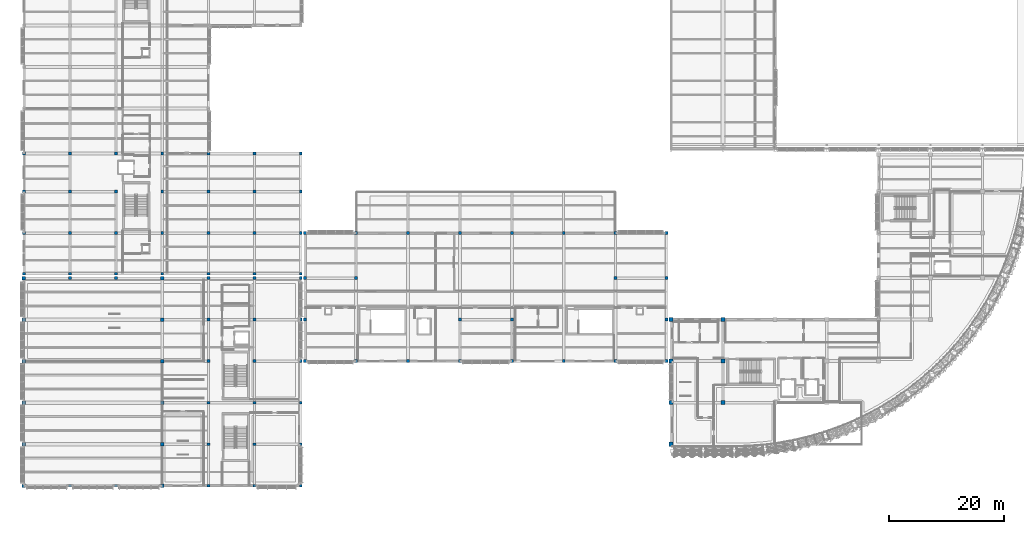
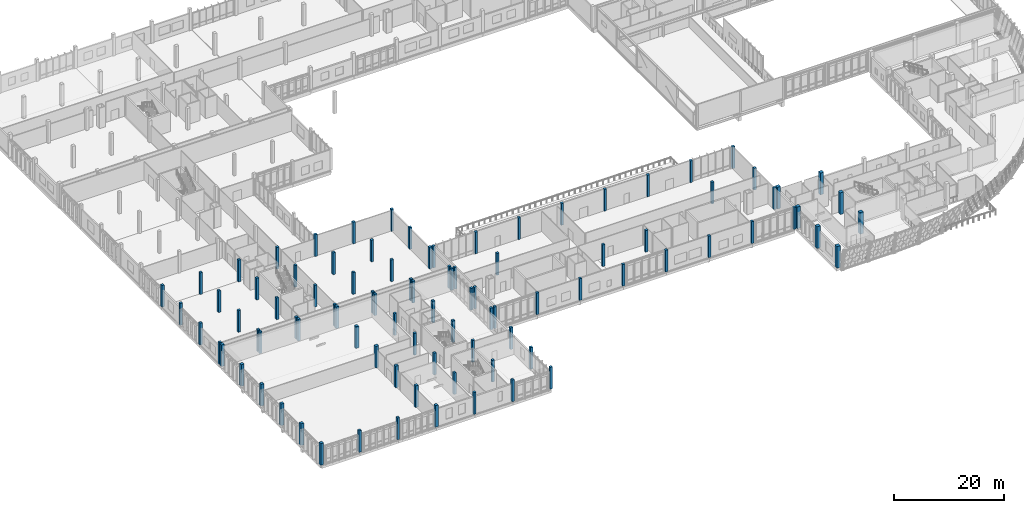
# One storey, part 1 of 177: 93 columns.
"""IFC4 building model written with IfcOpenShell, lengths in metres."""

import ifcopenshell
import ifcopenshell.guid

model = None  # the IFC model being written
_history = None  # IfcOwnerHistory: only IFC2X3 demands one
_inside = {}  # id of a spatial element -> (the spatial element, [elements in it])
_under = {}  # id of a project, library or spatial element -> (it, [spatial elements below it])
_declared = {}  # id of a project -> (the project, [libraries it declares])
_typed = {}  # id of a type object -> (the type object, [elements of that type])
_made_of = {}  # id of a material, layer set ... -> (it, [elements and type objects made of it])


def new_model(schema):
    """Start an empty IFC model of exactly this schema.

    Asked for "IFC4X3", IfcOpenShell would pick the latest addendum, in which some entities
    have other attributes; the version numbers below select the first issue.
    IFC2X3 requires an IfcOwnerHistory on every rooted entity: one is made here for all.
    """
    global model, _history
    if schema == "IFC4X3":
        model = ifcopenshell.file(schema_version=(4, 3, 0, 0))
    else:
        model = ifcopenshell.file(schema=schema)
    _inside.clear()
    _under.clear()
    _declared.clear()
    _typed.clear()
    _made_of.clear()
    _history = None
    if model.schema == "IFC2X3":
        org = make("IfcOrganization", Name="unknown")
        user = make(
            "IfcPersonAndOrganization",
            ThePerson=make("IfcPerson", FamilyName="unknown"),
            TheOrganization=org,
        )
        app = make(
            "IfcApplication",
            ApplicationDeveloper=org,
            Version="unknown",
            ApplicationFullName="unknown",
            ApplicationIdentifier="unknown",
        )
        _history = make(
            "IfcOwnerHistory",
            OwningUser=user,
            OwningApplication=app,
            ChangeAction="ADDED",
            CreationDate=0,
        )
    return model


def make(cls, **values):
    """One entity of the class cls with the attributes given. An attribute that is None is left unset."""
    return model.create_entity(
        cls, **{name: value for name, value in values.items() if value is not None}
    )


def rooted(cls, **values):
    """An entity with a GlobalId (a new one), such as an element, a storey or a relation."""
    return make(cls, GlobalId=ifcopenshell.guid.new(), OwnerHistory=_history, **values)


def si_unit(unit_type, name, prefix=None):
    """IfcSIUnit, for example si_unit("LENGTHUNIT", "METRE", prefix="MILLI")."""
    return make("IfcSIUnit", UnitType=unit_type, Prefix=prefix, Name=name)


def assignment(units):
    """IfcUnitAssignment: the units of a project."""
    return None if units is None else make("IfcUnitAssignment", Units=units)


def point(xyz):
    """IfcCartesianPoint."""
    return None if xyz is None else make("IfcCartesianPoint", Coordinates=xyz)


def direction(xyz):
    """IfcDirection."""
    return None if xyz is None else make("IfcDirection", DirectionRatios=xyz)


def frame(location, z_axis=None, x_axis=None):
    """IfcAxis2Placement3D, a coordinate frame: its origin and axes. An axis left out is left unset."""
    return make(
        "IfcAxis2Placement3D",
        Location=point(location),
        Axis=direction(z_axis),
        RefDirection=direction(x_axis),
    )


def frame_2d(location, x_axis=None):
    """IfcAxis2Placement2D, a coordinate frame in the plane: its origin and x axis."""
    return make(
        "IfcAxis2Placement2D", Location=point(location), RefDirection=direction(x_axis)
    )


def origin():
    """The frame at (0, 0, 0) with its axes left unset."""
    return frame((0.0, 0.0, 0.0))


def origin_2d():
    """The frame at (0, 0) in the plane with its x axis left unset."""
    return frame_2d((0.0, 0.0))


def place(relative_to, where):
    """IfcLocalPlacement: puts the frame where relative to a parent placement (None: the world)."""
    return make(
        "IfcLocalPlacement", PlacementRelTo=relative_to, RelativePlacement=where
    )


def context(
    kind, dimensions, precision=None, world=None, true_north=None, identifier=None
):
    """IfcGeometricRepresentationContext, for example the 3D "Model" context."""
    return make(
        "IfcGeometricRepresentationContext",
        ContextIdentifier=identifier,
        ContextType=kind,
        CoordinateSpaceDimension=dimensions,
        Precision=precision,
        WorldCoordinateSystem=world,
        TrueNorth=true_north,
    )


def subcontext(parent, identifier, kind, view, scale=None):
    """IfcGeometricRepresentationSubContext, for example "Body" below "Model"."""
    return make(
        "IfcGeometricRepresentationSubContext",
        ContextIdentifier=identifier,
        ContextType=kind,
        ParentContext=parent,
        TargetScale=scale,
        TargetView=view,
    )


def project(units=None, contexts=None):
    """IfcProject with its units and contexts."""
    return rooted(
        "IfcProject",
        Name="project",
        RepresentationContexts=contexts,
        UnitsInContext=assignment(units),
    )


def spatial(cls, under=None, at=None, **own):
    """A site, building, storey or space (cls), placed at a placement, below another one or the project."""
    s = rooted(cls, ObjectPlacement=at, **own)
    if under is not None:
        _under.setdefault(under.id(), (under, []))[1].append(s)
    return s


def profile(cls, at=None, kind="AREA", **sizes):
    """A parametric profile (cls). Its sizes go by their IFC names, for example OverallWidth=200.0."""
    return make(cls, ProfileType=kind, Position=at, **sizes)


def rectangle(**sizes):
    """IfcRectangleProfileDef."""
    return profile("IfcRectangleProfileDef", **sizes)


def extrude(swept, where, along, depth):
    """IfcExtrudedAreaSolid: the profile swept, set in the frame where, extruded along a direction by depth."""
    return make(
        "IfcExtrudedAreaSolid",
        SweptArea=swept,
        Position=where,
        ExtrudedDirection=direction(along),
        Depth=depth,
    )


def shape(context_of_items, identifier, shape_type, items):
    """IfcShapeRepresentation: the items that make up one representation, for example the "Body"."""
    return make(
        "IfcShapeRepresentation",
        ContextOfItems=context_of_items,
        RepresentationIdentifier=identifier,
        RepresentationType=shape_type,
        Items=items,
    )


def material(Name=None, Category=None):
    """IfcMaterial."""
    return make("IfcMaterial", Name=Name, Category=Category)


def material_profile(
    of_material, cross_section, Name=None, Category=None, Priority=None
):
    """IfcMaterialProfile: a cross section and its material."""
    return make(
        "IfcMaterialProfile",
        Name=Name,
        Material=of_material,
        Profile=cross_section,
        Priority=Priority,
        Category=Category,
    )


def profile_set(profiles, Name=None, composite=None):
    """IfcMaterialProfileSet."""
    return make(
        "IfcMaterialProfileSet",
        Name=Name,
        MaterialProfiles=profiles,
        CompositeProfile=composite,
    )


def made_of(thing, what):
    """Note that an element or type object is made of a material, layer set ...; save() writes the relation."""
    if what is not None:
        _made_of.setdefault(what.id(), (what, []))[1].append(thing)
    return thing


def type_object(cls, material=None, **own):
    """A type object (cls), such as IfcWallType, which elements share."""
    return made_of(rooted(cls, **own), material)


def element(
    cls,
    number,
    at=None,
    inside=None,
    cuts=None,
    type_object=None,
    material=None,
    context=None,
    identifier="Body",
    shape_type=None,
    held_by="IfcProductDefinitionShape",
    body=None,
    shapes=None,
    **own,
):
    """One element of the class cls, such as IfcWall. Its Tag is "e" and its number.

    at: its placement. inside: the storey or other place that contains it. cuts: it is an
    opening in that element (IfcRelVoidsElement). A single representation is given by context,
    identifier, shape_type and body (its items); several are given by shapes. held_by: the class
    of the entity that holds the representations. save() writes the other relations.
    """
    e = rooted(cls, Tag="e%d" % number, ObjectPlacement=at, **own)
    if body is not None:
        shapes = [shape(context, identifier, shape_type, body)]
    if shapes is not None:
        e.Representation = make(held_by, Representations=shapes)
    if inside is not None:
        _inside.setdefault(inside.id(), (inside, []))[1].append(e)
    if cuts is not None:
        rooted(
            "IfcRelVoidsElement", RelatingBuildingElement=cuts, RelatedOpeningElement=e
        )
    if type_object is not None:
        _typed.setdefault(type_object.id(), (type_object, []))[1].append(e)
    return made_of(e, material)


def aggregate(whole, parts):
    """IfcRelAggregates: a whole, such as a stair, and the parts it consists of."""
    return rooted("IfcRelAggregates", RelatingObject=whole, RelatedObjects=parts)


def save(model, path):
    """Write the relations noted so far, then the file.

    IfcRelAggregates (storeys below a building ...), IfcRelContainedInSpatialStructure (elements
    in a storey), IfcRelDefinesByType, IfcRelAssociatesMaterial and IfcRelDeclares: one each for
    every whole, place, type object, material and project.
    """
    for whole, parts in _under.values():
        aggregate(whole, parts)
    for where, things in _inside.values():
        rooted(
            "IfcRelContainedInSpatialStructure",
            RelatedElements=things,
            RelatingStructure=where,
        )
    for kind, things in _typed.values():
        rooted("IfcRelDefinesByType", RelatedObjects=things, RelatingType=kind)
    for what, things in _made_of.values():
        rooted("IfcRelAssociatesMaterial", RelatedObjects=things, RelatingMaterial=what)
    for by, libraries in _declared.values():
        rooted("IfcRelDeclares", RelatingContext=by, RelatedDefinitions=libraries)
    model.write(path)


model = new_model("IFC4")

# Units and contexts
model_context = context("Model", 3, precision=1e-05, world=origin(), true_north=direction((0.0, 1.0)))
body_context = subcontext(model_context, "Body", "Model", "MODEL_VIEW")
ifc_project = project(units=[si_unit("LENGTHUNIT", "METRE"), si_unit("AREAUNIT", "SQUARE_METRE"), si_unit("VOLUMEUNIT", "CUBIC_METRE"), si_unit("PLANEANGLEUNIT", "RADIAN"), si_unit("MASSUNIT", "GRAM", prefix="KILO")], contexts=[model_context])

# Site, building, storey
site_placement = place(None, origin())
site = spatial("IfcSite", under=ifc_project, at=site_placement, CompositionType="ELEMENT")
building_placement = place(site_placement, origin())
building = spatial("IfcBuilding", under=site, at=building_placement, Name="Chiffa Square Polytechnic", CompositionType="ELEMENT")
storey_placement = place(building_placement, frame((0.0, 0.0, 4.800048828125)))
storey = spatial("IfcBuildingStorey", under=building, at=storey_placement, Name="L01", CompositionType="ELEMENT", Elevation=4.800048828125)

# Columns
ifc_material_1 = material(Name="Concrete C35/45", Category="concrete")
ifc_material_profile_1 = material_profile(ifc_material_1, rectangle(XDim=0.5, YDim=0.5, at=origin_2d()), Name="RC 500x500")
ifc_profile_set_1 = profile_set([ifc_material_profile_1], Name="Concrete C35/45")
column_type_1 = type_object("IfcColumnType", Name="COL-RC-500", PredefinedType="COLUMN", material=ifc_profile_set_1)
for number, where, z_axis, x_axis, name in (
    (1, (8.0, 0.0, 0.0), (0.0, 0.0, 1.0), (1.0, 0.0, 0.0), "Column C-V3-L01-0080-0000"),
    (2, (8.0, 36.0, 0.0), (0.0, 0.0, 1.0), (1.0, 0.0, 0.0), "Column C-V3-L01-0080-0360"),
    (3, (16.0, 0.0, 0.0), (0.0, 0.0, 1.0), (1.0, 0.0, 0.0), "Column C-V3-L01-0160-0000"),
    (4, (16.0, 36.0, 0.0), (0.0, 0.0, 1.0), (1.0, 0.0, 0.0), "Column C-V3-L01-0160-0360"),
    (5, (32.0, 0.0, 0.0), (0.0, 0.0, 1.0), (1.0, 0.0, 0.0), "Column C-V3-L01-0320-0000"),
    (6, (32.0, 7.199951171875, 0.0), (0.0, 0.0, 1.0), (1.0, 0.0, 0.0), "Column C-V3-L01-0320-0072"),
    (7, (32.0, 14.39990234375, 0.0), (0.0, 0.0, 1.0), (1.0, 0.0, 0.0), "Column C-V3-L01-0320-0144"),
    (8, (32.0, 21.60009765625, 0.0), (0.0, 0.0, 1.0), (1.0, 0.0, 0.0), "Column C-V3-L01-0320-0216"),
    (9, (32.0, 28.800048828125, 0.0), (0.0, 0.0, 1.0), (1.0, 0.0, 0.0), "Column C-V3-L01-0320-0288"),
    (10, (32.0, 36.0, 0.0), (0.0, 0.0, 1.0), (1.0, 0.0, 0.0), "Column C-V3-L01-0320-0360"),
    (11, (40.0, 0.0, 0.0), (0.0, 0.0, 1.0), (1.0, 0.0, 0.0), "Column C-V3-L01-0400-0000"),
    (12, (40.0, 7.199951171875, 0.0), (0.0, 0.0, 1.0), (1.0, 0.0, 0.0), "Column C-V3-L01-0400-0072"),
    (13, (40.0, 14.39990234375, 0.0), (0.0, 0.0, 1.0), (1.0, 0.0, 0.0), "Column C-V3-L01-0400-0144"),
    (14, (40.0, 21.60009765625, 0.0), (0.0, 0.0, 1.0), (1.0, 0.0, 0.0), "Column C-V3-L01-0400-0216"),
    (15, (40.0, 28.800048828125, 0.0), (0.0, 0.0, 1.0), (1.0, 0.0, 0.0), "Column C-V3-L01-0400-0288"),
    (16, (40.0, 36.0, 0.0), (0.0, 0.0, 1.0), (1.0, 0.0, 0.0), "Column C-V3-L01-0400-0360"),
    (17, (48.0, 0.0, 0.0), (0.0, 0.0, 1.0), (1.0, 0.0, 0.0), "Column C-V3-L01-0480-0000"),
    (18, (48.0, 7.199951171875, 0.0), (0.0, 0.0, 1.0), (1.0, 0.0, 0.0), "Column C-V3-L01-0480-0072"),
    (19, (48.0, 14.39990234375, 0.0), (0.0, 0.0, 1.0), (1.0, 0.0, 0.0), "Column C-V3-L01-0480-0144"),
    (20, (48.0, 21.60009765625, 0.0), (0.0, 0.0, 1.0), (1.0, 0.0, 0.0), "Column C-V3-L01-0480-0216"),
    (21, (48.0, 28.800048828125, 0.0), (0.0, 0.0, 1.0), (1.0, 0.0, 0.0), "Column C-V3-L01-0480-0288"),
    (22, (48.0, 36.0, 0.0), (0.0, 0.0, 1.0), (1.0, 0.0, 0.0), "Column C-V3-L01-0480-0360"),
    (23, (48.75, 21.60009765625, 0.0), (0.0, 0.0, 1.0), (1.0, 0.0, 0.0), "Column C-V4-L01-0488-0216"),
    (24, (48.75, 28.800048828125, 0.0), (0.0, 0.0, 1.0), (1.0, 0.0, 0.0), "Column C-V4-L01-0488-0288"),
    (25, (48.75, 36.0, 0.0), (0.0, 0.0, 1.0), (1.0, 0.0, 0.0), "Column C-V4-L01-0488-0360"),
    (26, (48.75, 43.800048828125, 0.0), (0.0, 0.0, 1.0), (1.0, 0.0, 0.0), "Column C-V4-L01-0488-0438"),
    (27, (57.60009765625, 21.60009765625, 0.0), (0.0, 0.0, 1.0), (1.0, 0.0, 0.0), "Column C-V4-L01-0576-0216"),
    (28, (57.60009765625, 36.0, 0.0), (0.0, 0.0, 1.0), (1.0, 0.0, 0.0), "Column C-V4-L01-0576-0360"),
    (29, (57.60009765625, 43.800048828125, 0.0), (0.0, 0.0, 1.0), (1.0, 0.0, 0.0), "Column C-V4-L01-0576-0438"),
    (30, (66.60009765625, 21.60009765625, 0.0), (0.0, 0.0, 1.0), (1.0, 0.0, 0.0), "Column C-V4-L01-0666-0216"),
    (31, (66.60009765625, 43.800048828125, 0.0), (0.0, 0.0, 1.0), (1.0, 0.0, 0.0), "Column C-V4-L01-0666-0438"),
    (32, (75.60009765625, 21.60009765625, 0.0), (0.0, 0.0, 1.0), (1.0, 0.0, 0.0), "Column C-V4-L01-0756-0216"),
    (33, (75.60009765625, 28.800048828125, 0.0), (0.0, 0.0, 1.0), (1.0, 0.0, 0.0), "Column C-V4-L01-0756-0288"),
    (34, (75.60009765625, 43.800048828125, 0.0), (0.0, 0.0, 1.0), (1.0, 0.0, 0.0), "Column C-V4-L01-0756-0438"),
    (35, (84.60009765625, 21.60009765625, 0.0), (0.0, 0.0, 1.0), (1.0, 0.0, 0.0), "Column C-V4-L01-0846-0216"),
    (36, (84.60009765625, 28.800048828125, 0.0), (0.0, 0.0, 1.0), (1.0, 0.0, 0.0), "Column C-V4-L01-0846-0288"),
    (37, (84.60009765625, 43.800048828125, 0.0), (0.0, 0.0, 1.0), (1.0, 0.0, 0.0), "Column C-V4-L01-0846-0438"),
    (38, (93.60009765625, 21.60009765625, 0.0), (0.0, 0.0, 1.0), (1.0, 0.0, 0.0), "Column C-V4-L01-0936-0216"),
    (39, (93.60009765625, 43.800048828125, 0.0), (0.0, 0.0, 1.0), (1.0, 0.0, 0.0), "Column C-V4-L01-0936-0438"),
    (40, (102.60009765625, 21.60009765625, 0.0), (0.0, 0.0, 1.0), (1.0, 0.0, 0.0), "Column C-V4-L01-1026-0216"),
    (41, (102.60009765625, 36.0, 0.0), (0.0, 0.0, 1.0), (1.0, 0.0, 0.0), "Column C-V4-L01-1026-0360"),
    (42, (102.60009765625, 43.800048828125, 0.0), (0.0, 0.0, 1.0), (1.0, 0.0, 0.0), "Column C-V4-L01-1026-0438"),
    (43, (111.449951171875, 21.60009765625, 0.0), (0.0, 0.0, 1.0), (1.0, 0.0, 0.0), "Column C-V4-L01-1114-0216"),
    (44, (111.449951171875, 28.800048828125, 0.0), (0.0, 0.0, 1.0), (1.0, 0.0, 0.0), "Column C-V4-L01-1114-0288"),
    (45, (111.449951171875, 36.0, 0.0), (0.0, 0.0, 1.0), (1.0, 0.0, 0.0), "Column C-V4-L01-1114-0360"),
    (46, (111.449951171875, 43.800048828125, 0.0), (0.0, 0.0, 1.0), (1.0, 0.0, 0.0), "Column C-V4-L01-1114-0438"),
    (47, (0.0, 36.75, 0.0), (0.0, 0.0, 1.0), (1.0, 0.0, 0.0), "Column C-V6-L01-0000-0368"),
    (48, (0.0, 43.800048828125, 0.0), (0.0, 0.0, 1.0), (1.0, 0.0, 0.0), "Column C-V6-L01-0000-0438"),
    (49, (0.0, 51.0, 0.0), (0.0, 0.0, 1.0), (1.0, 0.0, 0.0), "Column C-V6-L01-0000-0510"),
    (50, (0.0, 57.60009765625, 0.0), (0.0, 0.0, 1.0), (1.0, 0.0, 0.0), "Column C-V6-L01-0000-0576"),
    (51, (8.0, 36.75, 0.0), (0.0, 0.0, 1.0), (1.0, 0.0, 0.0), "Column C-V6-L01-0080-0368"),
    (52, (8.0, 43.800048828125, 0.0), (0.0, 0.0, 1.0), (1.0, 0.0, 0.0), "Column C-V6-L01-0080-0438"),
    (53, (8.0, 51.0, 0.0), (0.0, 0.0, 1.0), (1.0, 0.0, 0.0), "Column C-V6-L01-0080-0510"),
    (54, (8.0, 57.60009765625, 0.0), (0.0, 0.0, 1.0), (1.0, 0.0, 0.0), "Column C-V6-L01-0080-0576"),
    (55, (16.0, 36.75, 0.0), (0.0, 0.0, 1.0), (1.0, 0.0, 0.0), "Column C-V6-L01-0160-0368"),
    (56, (16.0, 43.800048828125, 0.0), (0.0, 0.0, 1.0), (1.0, 0.0, 0.0), "Column C-V6-L01-0160-0438"),
    (57, (16.0, 51.0, 0.0), (0.0, 0.0, 1.0), (1.0, 0.0, 0.0), "Column C-V6-L01-0160-0510"),
    (58, (16.0, 57.60009765625, 0.0), (0.0, 0.0, 1.0), (1.0, 0.0, 0.0), "Column C-V6-L01-0160-0576"),
    (59, (24.0, 36.75, 0.0), (0.0, 0.0, 1.0), (1.0, 0.0, 0.0), "Column C-V6-L01-0240-0368"),
    (60, (24.0, 43.800048828125, 0.0), (0.0, 0.0, 1.0), (1.0, 0.0, 0.0), "Column C-V6-L01-0240-0438"),
    (61, (24.0, 51.0, 0.0), (0.0, 0.0, 1.0), (1.0, 0.0, 0.0), "Column C-V6-L01-0240-0510"),
    (62, (24.0, 57.60009765625, 0.0), (0.0, 0.0, 1.0), (1.0, 0.0, 0.0), "Column C-V6-L01-0240-0576"),
    (63, (32.0, 36.75, 0.0), (0.0, 0.0, 1.0), (1.0, 0.0, 0.0), "Column C-V6-L01-0320-0368"),
    (64, (32.0, 43.800048828125, 0.0), (0.0, 0.0, 1.0), (1.0, 0.0, 0.0), "Column C-V6-L01-0320-0438"),
    (65, (32.0, 51.0, 0.0), (0.0, 0.0, 1.0), (1.0, 0.0, 0.0), "Column C-V6-L01-0320-0510"),
    (66, (32.0, 57.60009765625, 0.0), (0.0, 0.0, 1.0), (1.0, 0.0, 0.0), "Column C-V6-L01-0320-0576"),
    (67, (40.0, 36.75, 0.0), (0.0, 0.0, 1.0), (1.0, 0.0, 0.0), "Column C-V6-L01-0400-0368"),
    (68, (40.0, 43.800048828125, 0.0), (0.0, 0.0, 1.0), (1.0, 0.0, 0.0), "Column C-V6-L01-0400-0438"),
    (69, (40.0, 51.0, 0.0), (0.0, 0.0, 1.0), (1.0, 0.0, 0.0), "Column C-V6-L01-0400-0510"),
    (70, (40.0, 57.60009765625, 0.0), (0.0, 0.0, 1.0), (1.0, 0.0, 0.0), "Column C-V6-L01-0400-0576"),
    (71, (48.0, 36.75, 0.0), (0.0, 0.0, 1.0), (1.0, 0.0, 0.0), "Column C-V6-L01-0480-0368"),
    (72, (48.0, 43.800048828125, 0.0), (0.0, 0.0, 1.0), (1.0, 0.0, 0.0), "Column C-V6-L01-0480-0438"),
    (73, (48.0, 51.0, 0.0), (0.0, 0.0, 1.0), (1.0, 0.0, 0.0), "Column C-V6-L01-0480-0510"),
    (74, (48.0, 57.60009765625, 0.0), (0.0, 0.0, 1.0), (1.0, 0.0, 0.0), "Column C-V6-L01-0480-0576"),
):
    element("IfcColumn", number, at=place(storey_placement, frame(where, z_axis=z_axis, x_axis=x_axis)), inside=storey, type_object=column_type_1, Name=name, PredefinedType="COLUMN", context=body_context, shape_type="SweptSolid", body=[
        extrude(rectangle(XDim=0.5, YDim=0.5, at=origin_2d()), origin(), (0.0, 0.0, 1.0), 4.800048828125),
    ])
ifc_material_2 = material(Name="Concrete C40/50", Category="concrete")
ifc_material_profile_2 = material_profile(ifc_material_2, rectangle(XDim=0.60009765625, YDim=0.60009765625, at=origin_2d()), Name="RC 600x600")
ifc_profile_set_2 = profile_set([ifc_material_profile_2], Name="Concrete C40/50")
column_type_2 = type_object("IfcColumnType", Name="COL-RC-600", PredefinedType="COLUMN", material=ifc_profile_set_2)
for number, where, z_axis, x_axis, name in (
    (75, (0.0, 0.0, 0.0), (0.0, 0.0, 1.0), (1.0, 0.0, 0.0), "Column C-V3-L01-0000-0000"),
    (76, (0.0, 7.199951171875, 0.0), (0.0, 0.0, 1.0), (1.0, 0.0, 0.0), "Column C-V3-L01-0000-0072"),
    (77, (0.0, 14.39990234375, 0.0), (0.0, 0.0, 1.0), (1.0, 0.0, 0.0), "Column C-V3-L01-0000-0144"),
    (78, (0.0, 21.60009765625, 0.0), (0.0, 0.0, 1.0), (1.0, 0.0, 0.0), "Column C-V3-L01-0000-0216"),
    (79, (0.0, 28.800048828125, 0.0), (0.0, 0.0, 1.0), (1.0, 0.0, 0.0), "Column C-V3-L01-0000-0288"),
    (80, (0.0, 36.0, 0.0), (0.0, 0.0, 1.0), (1.0, 0.0, 0.0), "Column C-V3-L01-0000-0360"),
    (81, (24.0, 0.0, 0.0), (0.0, 0.0, 1.0), (1.0, 0.0, 0.0), "Column C-V3-L01-0240-0000"),
    (82, (24.0, 7.199951171875, 0.0), (0.0, 0.0, 1.0), (1.0, 0.0, 0.0), "Column C-V3-L01-0240-0072"),
    (83, (24.0, 14.39990234375, 0.0), (0.0, 0.0, 1.0), (1.0, 0.0, 0.0), "Column C-V3-L01-0240-0144"),
    (84, (24.0, 21.60009765625, 0.0), (0.0, 0.0, 1.0), (1.0, 0.0, 0.0), "Column C-V3-L01-0240-0216"),
    (85, (24.0, 28.800048828125, 0.0), (0.0, 0.0, 1.0), (1.0, 0.0, 0.0), "Column C-V3-L01-0240-0288"),
    (86, (24.0, 36.0, 0.0), (0.0, 0.0, 1.0), (1.0, 0.0, 0.0), "Column C-V3-L01-0240-0360"),
):
    element("IfcColumn", number, at=place(storey_placement, frame(where, z_axis=z_axis, x_axis=x_axis)), inside=storey, type_object=column_type_2, Name=name, PredefinedType="COLUMN", context=body_context, shape_type="SweptSolid", body=[
        extrude(rectangle(XDim=0.60009765625, YDim=0.60009765625, at=origin_2d()), origin(), (0.0, 0.0, 1.0), 4.800048828125),
    ])
ifc_material_profile_3 = material_profile(ifc_material_2, rectangle(XDim=0.699951171875, YDim=0.699951171875, at=origin_2d()), Name="RC 700x700")
ifc_profile_set_3 = profile_set([ifc_material_profile_3], Name="Concrete C40/50")
column_type_3 = type_object("IfcColumnType", Name="COL-RC-700", PredefinedType="COLUMN", material=ifc_profile_set_3)
for number, where, z_axis, x_axis, name in (
    (87, (112.199951171875, 7.199951171875, 0.0), (0.0, 0.0, 1.0), (1.0, 0.0, 0.0), "Column C-V1-L01-1122-0072"),
    (88, (112.199951171875, 14.39990234375, 0.0), (0.0, 0.0, 1.0), (1.0, 0.0, 0.0), "Column C-V1-L01-1122-0144"),
    (89, (112.199951171875, 21.60009765625, 0.0), (0.0, 0.0, 1.0), (1.0, 0.0, 0.0), "Column C-V1-L01-1122-0216"),
    (90, (112.199951171875, 28.800048828125, 0.0), (0.0, 0.0, 1.0), (1.0, 0.0, 0.0), "Column C-V1-L01-1122-0288"),
    (91, (121.199951171875, 14.39990234375, 0.0), (0.0, 0.0, 1.0), (1.0, 0.0, 0.0), "Column C-V1-L01-1212-0144"),
    (92, (121.199951171875, 21.60009765625, 0.0), (0.0, 0.0, 1.0), (1.0, 0.0, 0.0), "Column C-V1-L01-1212-0216"),
    (93, (121.199951171875, 28.800048828125, 0.0), (0.0, 0.0, 1.0), (1.0, 0.0, 0.0), "Column C-V1-L01-1212-0288"),
):
    element("IfcColumn", number, at=place(storey_placement, frame(where, z_axis=z_axis, x_axis=x_axis)), inside=storey, type_object=column_type_3, Name=name, PredefinedType="COLUMN", context=body_context, shape_type="SweptSolid", body=[
        extrude(rectangle(XDim=0.699951171875, YDim=0.699951171875, at=origin_2d()), origin(), (0.0, 0.0, 1.0), 4.800048828125),
    ])

save(model, "model.ifc")
